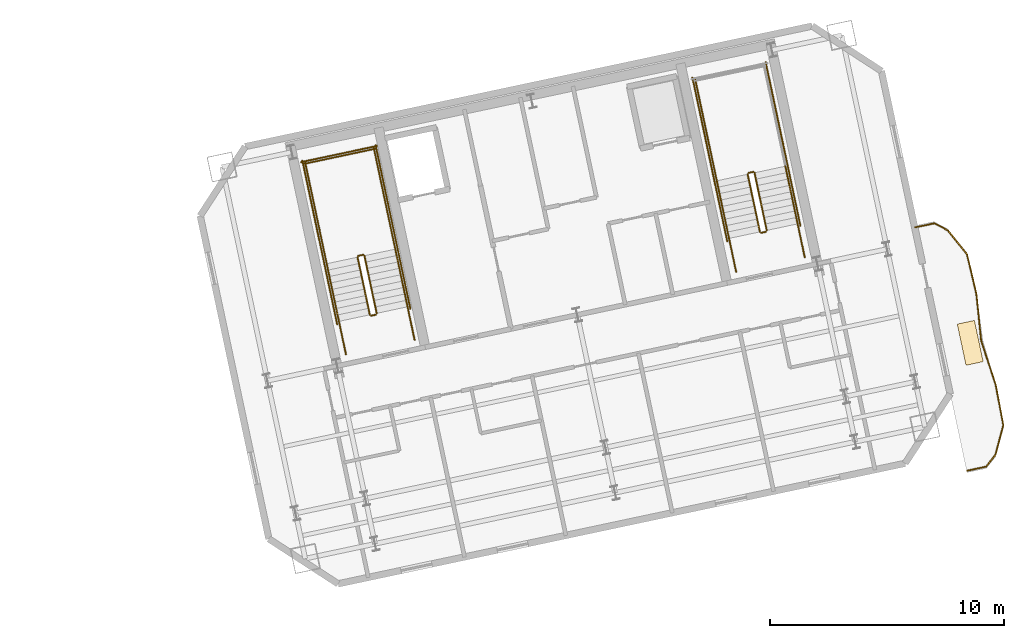
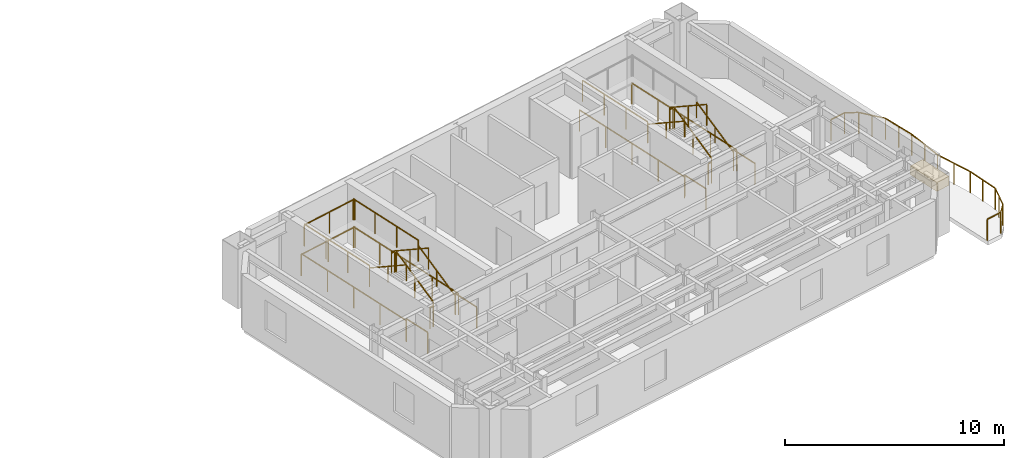
# One storey, part 12 of 14: 35 railings, 1 covering.
"""IFC4 building model written with IfcOpenShell, lengths in metres."""

from ifc_helpers import new_model, si_unit, direction, frame, origin, origin_2d, place, context, subcontext, project, spatial, rectangle, extrude, material, layer, layer_set, type_object, element, save


model = new_model("IFC4")

# Units and contexts
model_context = context("Model", 3, precision=1e-05, world=origin(), true_north=direction((0.0, 1.0)))
body_context = subcontext(model_context, "Body", "Model", "MODEL_VIEW")
ifc_project = project(units=[si_unit("LENGTHUNIT", "METRE"), si_unit("AREAUNIT", "SQUARE_METRE"), si_unit("VOLUMEUNIT", "CUBIC_METRE"), si_unit("PLANEANGLEUNIT", "RADIAN"), si_unit("MASSUNIT", "GRAM", prefix="KILO")], contexts=[model_context])

# Site, building, storey
site_placement = place(None, origin())
site = spatial("IfcSite", under=ifc_project, at=site_placement, CompositionType="ELEMENT")
building_placement = place(site_placement, origin())
building = spatial("IfcBuilding", under=site, at=building_placement, Name="Haevon Station Towers", CompositionType="ELEMENT")
storey_placement = place(building_placement, frame((0.0, 0.0, 205.5)))
storey = spatial("IfcBuildingStorey", under=building, at=storey_placement, Name="L56", CompositionType="ELEMENT", Elevation=205.5)

# Railings
ifc_material_1 = material(Name="Steel S355", Category="steel")
railing_type_1 = type_object("IfcRailingType", Name="GRD-EXT1200", PredefinedType="GUARDRAIL", material=ifc_material_1)
railing_1_placement = place(storey_placement, frame((125.69677734375, 32.959228515625, 0.0)))
element("IfcRailing", 1, at=railing_1_placement, inside=storey, type_object=railing_type_1, Name="L56 Perimeter Guardrail 1", PredefinedType="GUARDRAIL", context=body_context, shape_type="SweptSolid", body=[
    extrude(rectangle(XDim=0.048095703125, YDim=0.048095703125, at=origin_2d()), frame((0.0, 0.0, 1.17578125), z_axis=(0.97761867619, 0.210384704682, 0.0), x_axis=(-0.210384704682, 0.97761867619, 0.0)), (0.0, 0.0, 1.0), 0.837890625),
    extrude(rectangle(XDim=0.0419921875, YDim=0.0419921875, at=origin_2d()), origin(), (0.0, 0.0, 1.0), 1.15185546875),
    extrude(rectangle(XDim=0.0419921875, YDim=0.0419921875, at=origin_2d()), frame((0.819091796875, 0.17626953125, 0.0)), (0.0, 0.0, 1.0), 1.15185546875),
])
railing_2_placement = place(storey_placement, frame((126.515869140625, 33.135498046875, 0.0)))
element("IfcRailing", 2, at=railing_2_placement, inside=storey, type_object=railing_type_1, Name="L56 Perimeter Guardrail 2", PredefinedType="GUARDRAIL", context=body_context, shape_type="SweptSolid", body=[
    extrude(rectangle(XDim=0.048095703125, YDim=0.048095703125, at=origin_2d()), frame((0.0, 0.0, 1.17578125), z_axis=(0.616287695395, 0.787521095911, 0.0), x_axis=(-0.787521095911, 0.616287695395, 0.0)), (0.0, 0.0, 1.0), 0.64013671875),
    extrude(rectangle(XDim=0.0419921875, YDim=0.0419921875, at=origin_2d()), origin(), (0.0, 0.0, 1.0), 1.15185546875),
    extrude(rectangle(XDim=0.0419921875, YDim=0.0419921875, at=origin_2d()), frame((0.39453125, 0.504150390625, 0.0)), (0.0, 0.0, 1.0), 1.15185546875),
])
railing_3_placement = place(storey_placement, frame((126.910400390625, 33.6396484375, 0.0)))
element("IfcRailing", 3, at=railing_3_placement, inside=storey, type_object=railing_type_1, Name="L56 Perimeter Guardrail 3", PredefinedType="GUARDRAIL", context=body_context, shape_type="SweptSolid", body=[
    extrude(rectangle(XDim=0.048095703125, YDim=0.048095703125, at=origin_2d()), frame((0.0, 0.0, 1.17578125), z_axis=(0.256920966249, 0.966432417245, 0.0), x_axis=(-0.966432417245, 0.256920966249, 0.0)), (0.0, 0.0, 1.0), 1.311279296875),
    extrude(rectangle(XDim=0.0419921875, YDim=0.0419921875, at=origin_2d()), origin(), (0.0, 0.0, 1.0), 1.15185546875),
    extrude(rectangle(XDim=0.0419921875, YDim=0.0419921875, at=origin_2d()), frame((0.16845703125, 0.6337890625, 0.0)), (0.0, 0.0, 1.0), 1.15185546875),
    extrude(rectangle(XDim=0.0419921875, YDim=0.0419921875, at=origin_2d()), frame((0.3369140625, 1.267333984375, 0.0)), (0.0, 0.0, 1.0), 1.15185546875),
])
railing_4_placement = place(storey_placement, frame((127.247314453125, 34.906982421875, 0.0)))
element("IfcRailing", 4, at=railing_4_placement, inside=storey, type_object=railing_type_1, Name="L56 Perimeter Guardrail 4", PredefinedType="GUARDRAIL", context=body_context, shape_type="SweptSolid", body=[
    extrude(rectangle(XDim=0.048095703125, YDim=0.048095703125, at=origin_2d()), frame((0.0, 0.0, 1.17578125), z_axis=(-0.184962759631, 0.982745530415, 0.0), x_axis=(-0.982745530415, -0.184962759631, 0.0)), (0.0, 0.0, 1.0), 1.7490234375),
    extrude(rectangle(XDim=0.0419921875, YDim=0.0419921875, at=origin_2d()), origin(), (0.0, 0.0, 1.0), 1.15185546875),
    extrude(rectangle(XDim=0.0419921875, YDim=0.0419921875, at=origin_2d()), frame((-0.16162109375, 0.859375, 0.0)), (0.0, 0.0, 1.0), 1.15185546875),
    extrude(rectangle(XDim=0.0419921875, YDim=0.0419921875, at=origin_2d()), frame((-0.323486328125, 1.71875, 0.0)), (0.0, 0.0, 1.0), 1.15185546875),
])
railing_5_placement = place(storey_placement, frame((126.923828125, 36.625732421875, 0.0)))
element("IfcRailing", 5, at=railing_5_placement, inside=storey, type_object=railing_type_1, Name="L56 Perimeter Guardrail 5", PredefinedType="GUARDRAIL", context=body_context, shape_type="SweptSolid", body=[
    extrude(rectangle(XDim=0.048095703125, YDim=0.048095703125, at=origin_2d()), frame((0.0, 0.0, 1.17578125), z_axis=(-0.31161563474, 0.950208238328, 0.0), x_axis=(-0.950208238328, -0.31161563474, 0.0)), (0.0, 0.0, 1.0), 2.00244140625),
    extrude(rectangle(XDim=0.0419921875, YDim=0.0419921875, at=origin_2d()), origin(), (0.0, 0.0, 1.0), 1.15185546875),
    extrude(rectangle(XDim=0.0419921875, YDim=0.0419921875, at=origin_2d()), frame((-0.31201171875, 0.951416015625, 0.0)), (0.0, 0.0, 1.0), 1.15185546875),
    extrude(rectangle(XDim=0.0419921875, YDim=0.0419921875, at=origin_2d()), frame((-0.6240234375, 1.90283203125, 0.0)), (0.0, 0.0, 1.0), 1.15185546875),
])
railing_6_placement = place(storey_placement, frame((126.2998046875, 38.528564453125, 0.0)))
element("IfcRailing", 6, at=railing_6_placement, inside=storey, type_object=railing_type_1, Name="L56 Perimeter Guardrail 6", PredefinedType="GUARDRAIL", context=body_context, shape_type="SweptSolid", body=[
    extrude(rectangle(XDim=0.048095703125, YDim=0.048095703125, at=origin_2d()), frame((0.0, 0.0, 1.17578125), z_axis=(-0.101796856362, 0.994805207081, 0.0), x_axis=(-0.994805207081, -0.101796856362, 0.0)), (0.0, 0.0, 1.0), 2.002685546875),
    extrude(rectangle(XDim=0.0419921875, YDim=0.0419921875, at=origin_2d()), origin(), (0.0, 0.0, 1.0), 1.15185546875),
    extrude(rectangle(XDim=0.0419921875, YDim=0.0419921875, at=origin_2d()), frame((-0.10205078125, 0.99609375, 0.0)), (0.0, 0.0, 1.0), 1.15185546875),
    extrude(rectangle(XDim=0.0419921875, YDim=0.0419921875, at=origin_2d()), frame((-0.203857421875, 1.9921875, 0.0)), (0.0, 0.0, 1.0), 1.15185546875),
])
railing_7_placement = place(storey_placement, frame((126.095947265625, 40.520751953125, 0.0)))
element("IfcRailing", 7, at=railing_7_placement, inside=storey, type_object=railing_type_1, Name="L56 Perimeter Guardrail 7", PredefinedType="GUARDRAIL", context=body_context, shape_type="SweptSolid", body=[
    extrude(rectangle(XDim=0.048095703125, YDim=0.048095703125, at=origin_2d()), frame((0.0, 0.0, 1.17578125), z_axis=(-0.230727231711, 0.973018470815, 0.0), x_axis=(-0.973018470815, -0.230727231711, 0.0)), (0.0, 0.0, 1.0), 1.7490234375),
    extrude(rectangle(XDim=0.0419921875, YDim=0.0419921875, at=origin_2d()), origin(), (0.0, 0.0, 1.0), 1.15185546875),
    extrude(rectangle(XDim=0.0419921875, YDim=0.0419921875, at=origin_2d()), frame((-0.20166015625, 0.85107421875, 0.0)), (0.0, 0.0, 1.0), 1.15185546875),
    extrude(rectangle(XDim=0.0419921875, YDim=0.0419921875, at=origin_2d()), frame((-0.403564453125, 1.701904296875, 0.0)), (0.0, 0.0, 1.0), 1.15185546875),
])
railing_8_placement = place(storey_placement, frame((125.6923828125, 42.22265625, 0.0)))
element("IfcRailing", 8, at=railing_8_placement, inside=storey, type_object=railing_type_1, Name="L56 Perimeter Guardrail 8", PredefinedType="GUARDRAIL", context=body_context, shape_type="SweptSolid", body=[
    extrude(rectangle(XDim=0.048095703125, YDim=0.048095703125, at=origin_2d()), frame((0.0, 0.0, 1.17578125), z_axis=(-0.62786890768, 0.778319108572, 0.0), x_axis=(-0.778319108572, -0.62786890768, 0.0)), (0.0, 0.0, 1.0), 1.311279296875),
    extrude(rectangle(XDim=0.0419921875, YDim=0.0419921875, at=origin_2d()), origin(), (0.0, 0.0, 1.0), 1.15185546875),
    extrude(rectangle(XDim=0.0419921875, YDim=0.0419921875, at=origin_2d()), frame((-0.41162109375, 0.51025390625, 0.0)), (0.0, 0.0, 1.0), 1.15185546875),
    extrude(rectangle(XDim=0.0419921875, YDim=0.0419921875, at=origin_2d()), frame((-0.8232421875, 1.0205078125, 0.0)), (0.0, 0.0, 1.0), 1.15185546875),
])
railing_9_placement = place(storey_placement, frame((124.869140625, 43.2431640625, 0.0)))
element("IfcRailing", 9, at=railing_9_placement, inside=storey, type_object=railing_type_1, Name="L56 Perimeter Guardrail 9", PredefinedType="GUARDRAIL", context=body_context, shape_type="SweptSolid", body=[
    extrude(rectangle(XDim=0.048095703125, YDim=0.048095703125, at=origin_2d()), frame((0.0, 0.0, 1.17578125), z_axis=(-0.883174960407, 0.469043696589, 0.0), x_axis=(-0.469043696589, -0.883174960407, 0.0)), (0.0, 0.0, 1.0), 0.64013671875),
    extrude(rectangle(XDim=0.0419921875, YDim=0.0419921875, at=origin_2d()), origin(), (0.0, 0.0, 1.0), 1.15185546875),
    extrude(rectangle(XDim=0.0419921875, YDim=0.0419921875, at=origin_2d()), frame((-0.5654296875, 0.30029296875, 0.0)), (0.0, 0.0, 1.0), 1.15185546875),
])
railing_10_placement = place(storey_placement, frame((124.3037109375, 43.54345703125, 0.0)))
element("IfcRailing", 10, at=railing_10_placement, inside=storey, type_object=railing_type_1, Name="L56 Perimeter Guardrail 10", PredefinedType="GUARDRAIL", context=body_context, shape_type="SweptSolid", body=[
    extrude(rectangle(XDim=0.048095703125, YDim=0.048095703125, at=origin_2d()), frame((0.0, 0.0, 1.17578125), z_axis=(-0.978617737227, -0.20568744343, 0.0), x_axis=(0.20568744343, -0.978617737227, 0.0)), (0.0, 0.0, 1.0), 0.837890625),
    extrude(rectangle(XDim=0.0419921875, YDim=0.0419921875, at=origin_2d()), origin(), (0.0, 0.0, 1.0), 1.15185546875),
    extrude(rectangle(XDim=0.0419921875, YDim=0.0419921875, at=origin_2d()), frame((-0.820068359375, -0.17236328125, 0.0)), (0.0, 0.0, 1.0), 1.15185546875),
])
railing_type_2 = type_object("IfcRailingType", Name="GRD-STR1200", PredefinedType="GUARDRAIL", material=ifc_material_1)
railing_11_placement = place(storey_placement, frame((100.44140625, 39.69287109375, 0.1650390625)))
element("IfcRailing", 11, at=railing_11_placement, inside=storey, type_object=railing_type_2, Name="L56 ST3 Stair Guard 1", PredefinedType="GUARDRAIL", context=body_context, shape_type="SweptSolid", body=[
    extrude(rectangle(XDim=0.048095703125, YDim=0.048095703125, at=origin_2d()), frame((0.0, 0.0, 1.17578125), z_axis=(-0.179128856099, 0.842723639875, 0.507670877349), x_axis=(-0.978147030254, -0.207914374695, 0.0)), (0.0, 0.0, 1.0), 2.9248046875),
    extrude(rectangle(XDim=0.0419921875, YDim=0.0419921875, at=origin_2d()), origin(), (0.0, 0.0, 1.0), 1.15185546875),
    extrude(rectangle(XDim=0.0419921875, YDim=0.0419921875, at=origin_2d()), frame((-0.261962890625, 1.232421875, 0.742431640625)), (0.0, 0.0, 1.0), 1.15185546875),
    extrude(rectangle(XDim=0.0419921875, YDim=0.0419921875, at=origin_2d()), frame((-0.52392578125, 2.46484375, 1.48486328125)), (0.0, 0.0, 1.0), 1.15185546875),
])
railing_12_placement = place(storey_placement, frame((99.858154296875, 42.1962890625, 1.64990234375)))
element("IfcRailing", 12, at=railing_12_placement, inside=storey, type_object=railing_type_2, Name="L56 ST3 Stair Guard 2", PredefinedType="GUARDRAIL", context=body_context, shape_type="SweptSolid", body=[
    extrude(rectangle(XDim=0.048095703125, YDim=0.048095703125, at=origin_2d()), frame((0.0, 0.0, 1.17578125), z_axis=(-0.977962931203, -0.208778603291, 0.0), x_axis=(0.208778603291, -0.977962931203, 0.0)), (0.0, 0.0, 1.0), 0.199951171875),
    extrude(rectangle(XDim=0.0419921875, YDim=0.0419921875, at=origin_2d()), origin(), (0.0, 0.0, 1.0), 1.15185546875),
    extrude(rectangle(XDim=0.0419921875, YDim=0.0419921875, at=origin_2d()), frame((-0.195556640625, -0.041748046875, 0.0)), (0.0, 0.0, 1.0), 1.15185546875),
])
railing_13_placement = place(storey_placement, frame((101.238037109375, 42.4384765625, 1.64990234375)))
element("IfcRailing", 13, at=railing_13_placement, inside=storey, type_object=railing_type_2, Name="L56 ST3 Stair Guard 3", PredefinedType="GUARDRAIL", context=body_context, shape_type="SweptSolid", body=[
    extrude(rectangle(XDim=0.048095703125, YDim=0.048095703125, at=origin_2d()), frame((0.0, 0.0, 1.17578125), z_axis=(-0.20794048909, 0.978141479029, 0.0), x_axis=(-0.978141479029, -0.20794048909, 0.0)), (0.0, 0.0, 1.0), 4.429931640625),
    extrude(rectangle(XDim=0.0419921875, YDim=0.0419921875, at=origin_2d()), origin(), (0.0, 0.0, 1.0), 1.15185546875),
    extrude(rectangle(XDim=0.0419921875, YDim=0.0419921875, at=origin_2d()), frame((-0.30712890625, 1.4443359375, 0.0)), (0.0, 0.0, 1.0), 1.15185546875),
    extrude(rectangle(XDim=0.0419921875, YDim=0.0419921875, at=origin_2d()), frame((-0.614013671875, 2.888671875, 0.0)), (0.0, 0.0, 1.0), 1.15185546875),
    extrude(rectangle(XDim=0.0419921875, YDim=0.0419921875, at=origin_2d()), frame((-0.921142578125, 4.3330078125, 0.0)), (0.0, 0.0, 1.0), 1.15185546875),
])
railing_14_placement = place(storey_placement, frame((98.303466796875, 41.814697265625, 1.64990234375)))
element("IfcRailing", 14, at=railing_14_placement, inside=storey, type_object=railing_type_2, Name="L56 ST3 Stair Guard 4", PredefinedType="GUARDRAIL", context=body_context, shape_type="SweptSolid", body=[
    extrude(rectangle(XDim=0.048095703125, YDim=0.048095703125, at=origin_2d()), frame((0.0, 0.0, 1.17578125), z_axis=(-0.207876551949, 0.978155069071, 0.0), x_axis=(-0.978155069071, -0.207876551949, 0.0)), (0.0, 0.0, 1.0), 4.429931640625),
    extrude(rectangle(XDim=0.0419921875, YDim=0.0419921875, at=origin_2d()), origin(), (0.0, 0.0, 1.0), 1.15185546875),
    extrude(rectangle(XDim=0.0419921875, YDim=0.0419921875, at=origin_2d()), frame((-0.306884765625, 1.4443359375, 0.0)), (0.0, 0.0, 1.0), 1.15185546875),
    extrude(rectangle(XDim=0.0419921875, YDim=0.0419921875, at=origin_2d()), frame((-0.614013671875, 2.888916015625, 0.0)), (0.0, 0.0, 1.0), 1.15185546875),
    extrude(rectangle(XDim=0.0419921875, YDim=0.0419921875, at=origin_2d()), frame((-0.9208984375, 4.333251953125, 0.0)), (0.0, 0.0, 1.0), 1.15185546875),
])
railing_15_placement = place(storey_placement, frame((100.376220703125, 46.733154296875, 1.64990234375)))
element("IfcRailing", 15, at=railing_15_placement, inside=storey, type_object=railing_type_2, Name="L56 ST3 Stair Guard 5", PredefinedType="GUARDRAIL", context=body_context, shape_type="SweptSolid", body=[
    extrude(rectangle(XDim=0.048095703125, YDim=0.048095703125, at=origin_2d()), frame((0.0, 0.0, 1.17578125), z_axis=(-0.978146839882, -0.207915270313, 0.0), x_axis=(0.207915270313, -0.978146839882, 0.0)), (0.0, 0.0, 1.0), 3.099853515625),
    extrude(rectangle(XDim=0.0419921875, YDim=0.0419921875, at=origin_2d()), origin(), (0.0, 0.0, 1.0), 1.15185546875),
    extrude(rectangle(XDim=0.0419921875, YDim=0.0419921875, at=origin_2d()), frame((-1.51611328125, -0.322265625, 0.0)), (0.0, 0.0, 1.0), 1.15185546875),
    extrude(rectangle(XDim=0.0419921875, YDim=0.0419921875, at=origin_2d()), frame((-3.0322265625, -0.64453125, 0.0)), (0.0, 0.0, 1.0), 1.15185546875),
])
railing_16_placement = place(storey_placement, frame((99.6240234375, 42.09521484375, 1.81494140625)))
element("IfcRailing", 16, at=railing_16_placement, inside=storey, type_object=railing_type_2, Name="L56 ST3 Stair Guard 6", PredefinedType="GUARDRAIL", context=body_context, shape_type="SweptSolid", body=[
    extrude(rectangle(XDim=0.048095703125, YDim=0.048095703125, at=origin_2d()), frame((0.0, 0.0, 1.17578125), z_axis=(0.179121265225, -0.842687928106, 0.507732831485), x_axis=(0.978147030254, 0.207914374695, 0.0)), (0.0, 0.0, 1.0), 2.925048828125),
    extrude(rectangle(XDim=0.0419921875, YDim=0.0419921875, at=origin_2d()), origin(), (0.0, 0.0, 1.0), 1.15185546875),
    extrude(rectangle(XDim=0.0419921875, YDim=0.0419921875, at=origin_2d()), frame((0.261962890625, -1.232421875, 0.74267578125)), (0.0, 0.0, 1.0), 1.15185546875),
    extrude(rectangle(XDim=0.0419921875, YDim=0.0419921875, at=origin_2d()), frame((0.52392578125, -2.46484375, 1.485107421875)), (0.0, 0.0, 1.0), 1.15185546875),
])
railing_17_placement = place(storey_placement, frame((100.40283203125, 39.633544921875, 0.0)))
element("IfcRailing", 17, at=railing_17_placement, inside=storey, type_object=railing_type_2, Name="L56 ST3 Stair Guard 7", PredefinedType="GUARDRAIL", context=body_context, shape_type="SweptSolid", body=[
    extrude(rectangle(XDim=0.048095703125, YDim=0.048095703125, at=origin_2d()), frame((0.0, 0.0, 1.17578125), z_axis=(-0.977962931203, -0.208778603291, 0.0), x_axis=(0.208778603291, -0.977962931203, 0.0)), (0.0, 0.0, 1.0), 0.199951171875),
    extrude(rectangle(XDim=0.0419921875, YDim=0.0419921875, at=origin_2d()), origin(), (0.0, 0.0, 1.0), 1.15185546875),
    extrude(rectangle(XDim=0.0419921875, YDim=0.0419921875, at=origin_2d()), frame((-0.195556640625, -0.041748046875, 0.0)), (0.0, 0.0, 1.0), 1.15185546875),
])
for number, where, name in (
    (18, (102.0634765625, 38.55517578125, 0.0), "L56 ST3 Stair Guard 8"),
    (19, (99.12890625, 37.931396484375, 0.0), "L56 ST3 Stair Guard 9"),
):
    element("IfcRailing", number, at=place(storey_placement, frame(where)), inside=storey, type_object=railing_type_2, Name=name, PredefinedType="GUARDRAIL", context=body_context, shape_type="SweptSolid", body=[
        extrude(rectangle(XDim=0.048095703125, YDim=0.048095703125, at=origin_2d()), frame((0.0, 0.0, 1.17578125), z_axis=(-0.207953405961, 0.978138732977, 0.0), x_axis=(-0.978138732977, -0.207953405961, 0.0)), (0.0, 0.0, 1.0), 1.449951171875),
        extrude(rectangle(XDim=0.0419921875, YDim=0.0419921875, at=origin_2d()), origin(), (0.0, 0.0, 1.0), 1.15185546875),
        extrude(rectangle(XDim=0.0419921875, YDim=0.0419921875, at=origin_2d()), frame((-0.301513671875, 1.418212890625, 0.0)), (0.0, 0.0, 1.0), 1.15185546875),
    ])
railing_18_placement = place(storey_placement, frame((101.88037109375, 39.896484375, 0.0)))
element("IfcRailing", 20, at=railing_18_placement, inside=storey, type_object=railing_type_2, Name="L56 ST3 Stair Guard 10", PredefinedType="GUARDRAIL", context=body_context, shape_type="SweptSolid", body=[
    extrude(rectangle(XDim=0.048095703125, YDim=0.048095703125, at=origin_2d()), frame((0.0, 0.0, 1.17578125), z_axis=(-0.207882442208, 0.978153817261, 0.0), x_axis=(-0.978153817261, -0.207882442208, 0.0)), (0.0, 0.0, 1.0), 7.14990234375),
    extrude(rectangle(XDim=0.0419921875, YDim=0.0419921875, at=origin_2d()), origin(), (0.0, 0.0, 1.0), 1.15185546875),
    extrude(rectangle(XDim=0.0419921875, YDim=0.0419921875, at=origin_2d()), frame((-0.37158203125, 1.74853515625, 0.0)), (0.0, 0.0, 1.0), 1.15185546875),
    extrude(rectangle(XDim=0.0419921875, YDim=0.0419921875, at=origin_2d()), frame((-0.7431640625, 3.496826171875, 0.0)), (0.0, 0.0, 1.0), 1.15185546875),
    extrude(rectangle(XDim=0.0419921875, YDim=0.0419921875, at=origin_2d()), frame((-1.11474609375, 5.2451171875, 0.0)), (0.0, 0.0, 1.0), 1.15185546875),
    extrude(rectangle(XDim=0.0419921875, YDim=0.0419921875, at=origin_2d()), frame((-1.486328125, 6.99365234375, 0.0)), (0.0, 0.0, 1.0), 1.15185546875),
])
railing_19_placement = place(storey_placement, frame((98.75048828125, 39.231201171875, 0.0)))
element("IfcRailing", 21, at=railing_19_placement, inside=storey, type_object=railing_type_2, Name="L56 ST3 Stair Guard 11", PredefinedType="GUARDRAIL", context=body_context, shape_type="SweptSolid", body=[
    extrude(rectangle(XDim=0.048095703125, YDim=0.048095703125, at=origin_2d()), frame((0.0, 0.0, 1.17578125), z_axis=(-0.207915112487, 0.978146873429, 0.0), x_axis=(-0.978146873429, -0.207915112487, 0.0)), (0.0, 0.0, 1.0), 7.14990234375),
    extrude(rectangle(XDim=0.0419921875, YDim=0.0419921875, at=origin_2d()), origin(), (0.0, 0.0, 1.0), 1.15185546875),
    extrude(rectangle(XDim=0.0419921875, YDim=0.0419921875, at=origin_2d()), frame((-0.37158203125, 1.74853515625, 0.0)), (0.0, 0.0, 1.0), 1.15185546875),
    extrude(rectangle(XDim=0.0419921875, YDim=0.0419921875, at=origin_2d()), frame((-0.7431640625, 3.496826171875, 0.0)), (0.0, 0.0, 1.0), 1.15185546875),
    extrude(rectangle(XDim=0.0419921875, YDim=0.0419921875, at=origin_2d()), frame((-1.114990234375, 5.2451171875, 0.0)), (0.0, 0.0, 1.0), 1.15185546875),
    extrude(rectangle(XDim=0.0419921875, YDim=0.0419921875, at=origin_2d()), frame((-1.486572265625, 6.99365234375, 0.0)), (0.0, 0.0, 1.0), 1.15185546875),
])
railing_20_placement = place(storey_placement, frame((100.453125, 46.8515625, 0.0)))
element("IfcRailing", 22, at=railing_20_placement, inside=storey, type_object=railing_type_2, Name="L56 ST3 Stair Guard 12", PredefinedType="GUARDRAIL", context=body_context, shape_type="SweptSolid", body=[
    extrude(rectangle(XDim=0.048095703125, YDim=0.048095703125, at=origin_2d()), frame((0.0, 0.0, 1.17578125), z_axis=(-0.978150764849, -0.207896804268, 0.0), x_axis=(0.207896804268, -0.978150764849, 0.0)), (0.0, 0.0, 1.0), 3.2998046875),
    extrude(rectangle(XDim=0.0419921875, YDim=0.0419921875, at=origin_2d()), origin(), (0.0, 0.0, 1.0), 1.15185546875),
    extrude(rectangle(XDim=0.0419921875, YDim=0.0419921875, at=origin_2d()), frame((-1.61376953125, -0.343017578125, 0.0)), (0.0, 0.0, 1.0), 1.15185546875),
    extrude(rectangle(XDim=0.0419921875, YDim=0.0419921875, at=origin_2d()), frame((-3.227783203125, -0.68603515625, 0.0)), (0.0, 0.0, 1.0), 1.15185546875),
])
railing_21_placement = place(storey_placement, frame((117.128662109375, 43.23974609375, 0.1650390625)))
element("IfcRailing", 23, at=railing_21_placement, inside=storey, type_object=railing_type_2, Name="L56 ST4 Stair Guard 1", PredefinedType="GUARDRAIL", context=body_context, shape_type="SweptSolid", body=[
    extrude(rectangle(XDim=0.048095703125, YDim=0.048095703125, at=origin_2d()), frame((0.0, 0.0, 1.17578125), z_axis=(-0.179128856099, 0.842723639875, 0.507670877349), x_axis=(-0.978147030254, -0.207914374695, 0.0)), (0.0, 0.0, 1.0), 2.9248046875),
    extrude(rectangle(XDim=0.0419921875, YDim=0.0419921875, at=origin_2d()), origin(), (0.0, 0.0, 1.0), 1.15185546875),
    extrude(rectangle(XDim=0.0419921875, YDim=0.0419921875, at=origin_2d()), frame((-0.261962890625, 1.232421875, 0.742431640625)), (0.0, 0.0, 1.0), 1.15185546875),
    extrude(rectangle(XDim=0.0419921875, YDim=0.0419921875, at=origin_2d()), frame((-0.52392578125, 2.46484375, 1.48486328125)), (0.0, 0.0, 1.0), 1.15185546875),
])
railing_22_placement = place(storey_placement, frame((116.54541015625, 45.7431640625, 1.64990234375)))
element("IfcRailing", 24, at=railing_22_placement, inside=storey, type_object=railing_type_2, Name="L56 ST4 Stair Guard 2", PredefinedType="GUARDRAIL", context=body_context, shape_type="SweptSolid", body=[
    extrude(rectangle(XDim=0.048095703125, YDim=0.048095703125, at=origin_2d()), frame((0.0, 0.0, 1.17578125), z_axis=(-0.97826412705, -0.207362720198, 0.0), x_axis=(0.207362720198, -0.97826412705, 0.0)), (0.0, 0.0, 1.0), 0.2001953125),
    extrude(rectangle(XDim=0.0419921875, YDim=0.0419921875, at=origin_2d()), origin(), (0.0, 0.0, 1.0), 1.15185546875),
    extrude(rectangle(XDim=0.0419921875, YDim=0.0419921875, at=origin_2d()), frame((-0.19580078125, -0.04150390625, 0.0)), (0.0, 0.0, 1.0), 1.15185546875),
])
railing_23_placement = place(storey_placement, frame((114.99072265625, 45.361572265625, 1.64990234375)))
element("IfcRailing", 25, at=railing_23_placement, inside=storey, type_object=railing_type_2, Name="L56 ST4 Stair Guard 4", PredefinedType="GUARDRAIL", context=body_context, shape_type="SweptSolid", body=[
    extrude(rectangle(XDim=0.048095703125, YDim=0.048095703125, at=origin_2d()), frame((0.0, 0.0, 1.17578125), z_axis=(-0.207929280007, 0.978143861871, 0.0), x_axis=(-0.978143861871, -0.207929280007, 0.0)), (0.0, 0.0, 1.0), 4.43017578125),
    extrude(rectangle(XDim=0.0419921875, YDim=0.0419921875, at=origin_2d()), origin(), (0.0, 0.0, 1.0), 1.15185546875),
    extrude(rectangle(XDim=0.0419921875, YDim=0.0419921875, at=origin_2d()), frame((-0.30712890625, 1.4443359375, 0.0)), (0.0, 0.0, 1.0), 1.15185546875),
    extrude(rectangle(XDim=0.0419921875, YDim=0.0419921875, at=origin_2d()), frame((-0.614013671875, 2.888916015625, 0.0)), (0.0, 0.0, 1.0), 1.15185546875),
    extrude(rectangle(XDim=0.0419921875, YDim=0.0419921875, at=origin_2d()), frame((-0.921142578125, 4.333251953125, 0.0)), (0.0, 0.0, 1.0), 1.15185546875),
])
railing_24_placement = place(storey_placement, frame((116.311279296875, 45.642333984375, 1.81494140625)))
element("IfcRailing", 26, at=railing_24_placement, inside=storey, type_object=railing_type_2, Name="L56 ST4 Stair Guard 6", PredefinedType="GUARDRAIL", context=body_context, shape_type="SweptSolid", body=[
    extrude(rectangle(XDim=0.048095703125, YDim=0.048095703125, at=origin_2d()), frame((0.0, 0.0, 1.17578125), z_axis=(0.179108667068, -0.842712120868, 0.50769712105), x_axis=(0.978151217824, 0.207894673017, 0.0)), (0.0, 0.0, 1.0), 2.92529296875),
    extrude(rectangle(XDim=0.0419921875, YDim=0.0419921875, at=origin_2d()), origin(), (0.0, 0.0, 1.0), 1.15185546875),
    extrude(rectangle(XDim=0.0419921875, YDim=0.0419921875, at=origin_2d()), frame((0.261962890625, -1.232421875, 0.74267578125)), (0.0, 0.0, 1.0), 1.15185546875),
    extrude(rectangle(XDim=0.0419921875, YDim=0.0419921875, at=origin_2d()), frame((0.52392578125, -2.465087890625, 1.485107421875)), (0.0, 0.0, 1.0), 1.15185546875),
])
railing_25_placement = place(storey_placement, frame((117.090087890625, 43.180419921875, 0.0)))
element("IfcRailing", 27, at=railing_25_placement, inside=storey, type_object=railing_type_2, Name="L56 ST4 Stair Guard 7", PredefinedType="GUARDRAIL", context=body_context, shape_type="SweptSolid", body=[
    extrude(rectangle(XDim=0.048095703125, YDim=0.048095703125, at=origin_2d()), frame((0.0, 0.0, 1.17578125), z_axis=(-0.978211583308, -0.207610448392, 0.0), x_axis=(0.207610448392, -0.978211583308, 0.0)), (0.0, 0.0, 1.0), 0.199951171875),
    extrude(rectangle(XDim=0.0419921875, YDim=0.0419921875, at=origin_2d()), origin(), (0.0, 0.0, 1.0), 1.15185546875),
    extrude(rectangle(XDim=0.0419921875, YDim=0.0419921875, at=origin_2d()), frame((-0.195556640625, -0.04150390625, 0.0)), (0.0, 0.0, 1.0), 1.15185546875),
])
for number, where, name in (
    (28, (118.75048828125, 42.10205078125, 0.0), "L56 ST4 Stair Guard 8"),
    (29, (115.816162109375, 41.478271484375, 0.0), "L56 ST4 Stair Guard 9"),
):
    element("IfcRailing", number, at=place(storey_placement, frame(where)), inside=storey, type_object=railing_type_2, Name=name, PredefinedType="GUARDRAIL", context=body_context, shape_type="SweptSolid", body=[
        extrude(rectangle(XDim=0.048095703125, YDim=0.048095703125, at=origin_2d()), frame((0.0, 0.0, 1.17578125), z_axis=(-0.207919161079, 0.978146012851, 0.0), x_axis=(-0.978146012851, -0.207919161079, 0.0)), (0.0, 0.0, 1.0), 1.4501953125),
        extrude(rectangle(XDim=0.0419921875, YDim=0.0419921875, at=origin_2d()), origin(), (0.0, 0.0, 1.0), 1.15185546875),
        extrude(rectangle(XDim=0.0419921875, YDim=0.0419921875, at=origin_2d()), frame((-0.301513671875, 1.41845703125, 0.0)), (0.0, 0.0, 1.0), 1.15185546875),
    ])
railing_26_placement = place(storey_placement, frame((118.567626953125, 43.443359375, 0.0)))
element("IfcRailing", 30, at=railing_26_placement, inside=storey, type_object=railing_type_2, Name="L56 ST4 Stair Guard 10", PredefinedType="GUARDRAIL", context=body_context, shape_type="SweptSolid", body=[
    extrude(rectangle(XDim=0.048095703125, YDim=0.048095703125, at=origin_2d()), frame((0.0, 0.0, 1.17578125), z_axis=(-0.207908168386, 0.978148349443, 0.0), x_axis=(-0.978148349443, -0.207908168386, 0.0)), (0.0, 0.0, 1.0), 7.150146484375),
    extrude(rectangle(XDim=0.0419921875, YDim=0.0419921875, at=origin_2d()), origin(), (0.0, 0.0, 1.0), 1.15185546875),
    extrude(rectangle(XDim=0.0419921875, YDim=0.0419921875, at=origin_2d()), frame((-0.37158203125, 1.74853515625, 0.0)), (0.0, 0.0, 1.0), 1.15185546875),
    extrude(rectangle(XDim=0.0419921875, YDim=0.0419921875, at=origin_2d()), frame((-0.7431640625, 3.4970703125, 0.0)), (0.0, 0.0, 1.0), 1.15185546875),
    extrude(rectangle(XDim=0.0419921875, YDim=0.0419921875, at=origin_2d()), frame((-1.114990234375, 5.245361328125, 0.0)), (0.0, 0.0, 1.0), 1.15185546875),
    extrude(rectangle(XDim=0.0419921875, YDim=0.0419921875, at=origin_2d()), frame((-1.486572265625, 6.993896484375, 0.0)), (0.0, 0.0, 1.0), 1.15185546875),
])
railing_27_placement = place(storey_placement, frame((115.4375, 42.778076171875, 0.0)))
element("IfcRailing", 31, at=railing_27_placement, inside=storey, type_object=railing_type_2, Name="L56 ST4 Stair Guard 11", PredefinedType="GUARDRAIL", context=body_context, shape_type="SweptSolid", body=[
    extrude(rectangle(XDim=0.048095703125, YDim=0.048095703125, at=origin_2d()), frame((0.0, 0.0, 1.17578125), z_axis=(-0.207882442208, 0.978153817261, 0.0), x_axis=(-0.978153817261, -0.207882442208, 0.0)), (0.0, 0.0, 1.0), 7.14990234375),
    extrude(rectangle(XDim=0.0419921875, YDim=0.0419921875, at=origin_2d()), origin(), (0.0, 0.0, 1.0), 1.15185546875),
    extrude(rectangle(XDim=0.0419921875, YDim=0.0419921875, at=origin_2d()), frame((-0.37158203125, 1.74853515625, 0.0)), (0.0, 0.0, 1.0), 1.15185546875),
    extrude(rectangle(XDim=0.0419921875, YDim=0.0419921875, at=origin_2d()), frame((-0.7431640625, 3.496826171875, 0.0)), (0.0, 0.0, 1.0), 1.15185546875),
    extrude(rectangle(XDim=0.0419921875, YDim=0.0419921875, at=origin_2d()), frame((-1.11474609375, 5.2451171875, 0.0)), (0.0, 0.0, 1.0), 1.15185546875),
    extrude(rectangle(XDim=0.0419921875, YDim=0.0419921875, at=origin_2d()), frame((-1.486328125, 6.99365234375, 0.0)), (0.0, 0.0, 1.0), 1.15185546875),
])
railing_type_3 = type_object("IfcRailingType", Name="HND-STR900", PredefinedType="HANDRAIL", material=ifc_material_1)
railing_28_placement = place(storey_placement, frame((101.761962890625, 39.973388671875, 0.1650390625)))
element("IfcRailing", 32, at=railing_28_placement, inside=storey, type_object=railing_type_3, Name="L56 ST3 Stair Handrail 1", PredefinedType="HANDRAIL", context=body_context, shape_type="SweptSolid", body=[
    extrude(rectangle(XDim=0.048095703125, YDim=0.048095703125, at=origin_2d()), frame((0.0, 0.0, 0.8759765625), z_axis=(-0.179116256339, 0.842747828638, 0.507635168246), x_axis=(-0.978151217824, -0.207894673017, 0.0)), (0.0, 0.0, 1.0), 2.925048828125),
    extrude(rectangle(XDim=0.0419921875, YDim=0.0419921875, at=origin_2d()), origin(), (0.0, 0.0, 1.0), 0.851806640625),
    extrude(rectangle(XDim=0.0419921875, YDim=0.0419921875, at=origin_2d()), frame((-0.261962890625, 1.232421875, 0.742431640625)), (0.0, 0.0, 1.0), 0.851806640625),
    extrude(rectangle(XDim=0.0419921875, YDim=0.0419921875, at=origin_2d()), frame((-0.52392578125, 2.465087890625, 1.48486328125)), (0.0, 0.0, 1.0), 0.851806640625),
])
railing_29_placement = place(storey_placement, frame((98.303466796875, 41.814697265625, 1.81494140625)))
element("IfcRailing", 33, at=railing_29_placement, inside=storey, type_object=railing_type_3, Name="L56 ST3 Stair Handrail 2", PredefinedType="HANDRAIL", context=body_context, shape_type="SweptSolid", body=[
    extrude(rectangle(XDim=0.048095703125, YDim=0.048095703125, at=origin_2d()), frame((0.0, 0.0, 0.8759765625), z_axis=(0.179108667068, -0.842712120868, 0.50769712105), x_axis=(0.978151217824, 0.207894673017, 0.0)), (0.0, 0.0, 1.0), 2.92529296875),
    extrude(rectangle(XDim=0.0419921875, YDim=0.0419921875, at=origin_2d()), origin(), (0.0, 0.0, 1.0), 0.851806640625),
    extrude(rectangle(XDim=0.0419921875, YDim=0.0419921875, at=origin_2d()), frame((0.261962890625, -1.232421875, 0.74267578125)), (0.0, 0.0, 1.0), 0.851806640625),
    extrude(rectangle(XDim=0.0419921875, YDim=0.0419921875, at=origin_2d()), frame((0.52392578125, -2.465087890625, 1.485107421875)), (0.0, 0.0, 1.0), 0.851806640625),
])
railing_30_placement = place(storey_placement, frame((118.448974609375, 43.5205078125, 0.1650390625)))
element("IfcRailing", 34, at=railing_30_placement, inside=storey, type_object=railing_type_3, Name="L56 ST4 Stair Handrail 1", PredefinedType="HANDRAIL", context=body_context, shape_type="SweptSolid", body=[
    extrude(rectangle(XDim=0.048095703125, YDim=0.048095703125, at=origin_2d()), frame((0.0, 0.0, 0.8759765625), z_axis=(-0.179128856099, 0.842723639875, 0.507670877349), x_axis=(-0.978147030254, -0.207914374695, 0.0)), (0.0, 0.0, 1.0), 2.9248046875),
    extrude(rectangle(XDim=0.0419921875, YDim=0.0419921875, at=origin_2d()), origin(), (0.0, 0.0, 1.0), 0.851806640625),
    extrude(rectangle(XDim=0.0419921875, YDim=0.0419921875, at=origin_2d()), frame((-0.261962890625, 1.232421875, 0.742431640625)), (0.0, 0.0, 1.0), 0.851806640625),
    extrude(rectangle(XDim=0.0419921875, YDim=0.0419921875, at=origin_2d()), frame((-0.52392578125, 2.46484375, 1.48486328125)), (0.0, 0.0, 1.0), 0.851806640625),
])
railing_31_placement = place(storey_placement, frame((114.99072265625, 45.361572265625, 1.81494140625)))
element("IfcRailing", 35, at=railing_31_placement, inside=storey, type_object=railing_type_3, Name="L56 ST4 Stair Handrail 2", PredefinedType="HANDRAIL", context=body_context, shape_type="SweptSolid", body=[
    extrude(rectangle(XDim=0.048095703125, YDim=0.048095703125, at=origin_2d()), frame((0.0, 0.0, 0.8759765625), z_axis=(0.179121265225, -0.842687928106, 0.507732831485), x_axis=(0.978147030254, 0.207914374695, 0.0)), (0.0, 0.0, 1.0), 2.925048828125),
    extrude(rectangle(XDim=0.0419921875, YDim=0.0419921875, at=origin_2d()), origin(), (0.0, 0.0, 1.0), 0.851806640625),
    extrude(rectangle(XDim=0.0419921875, YDim=0.0419921875, at=origin_2d()), frame((0.261962890625, -1.232421875, 0.74267578125)), (0.0, 0.0, 1.0), 0.851806640625),
    extrude(rectangle(XDim=0.0419921875, YDim=0.0419921875, at=origin_2d()), frame((0.52392578125, -2.46484375, 1.485107421875)), (0.0, 0.0, 1.0), 0.851806640625),
])

# Covering
ifc_material_2 = material(Name="Architectural planter GRC", Category="concrete")
ifc_layer = layer(ifc_material_2, 0.550048828125)
ifc_layer_set = layer_set([ifc_layer], Name="Architectural planter GRC")
covering_type = type_object("IfcCoveringType", Name="PLN-GRC550", PredefinedType="MOLDING", material=ifc_layer_set)
covering_placement = place(storey_placement, frame((125.831787109375, 38.42919921875, 0.0), z_axis=(0.0, 0.0, 1.0), x_axis=(0.978147600734, 0.207911690818, 0.0)))
element("IfcCovering", 36, at=covering_placement, inside=storey, type_object=covering_type, Name="Tower 2 L56 Scalloped Balcony PLANTER", PredefinedType="MOLDING", context=body_context, shape_type="SweptSolid", body=[
    extrude(rectangle(XDim=0.75, YDim=1.800048828125, at=origin_2d()), origin(), (0.0, 0.0, 1.0), 0.5),
])

save(model, "model.ifc")
